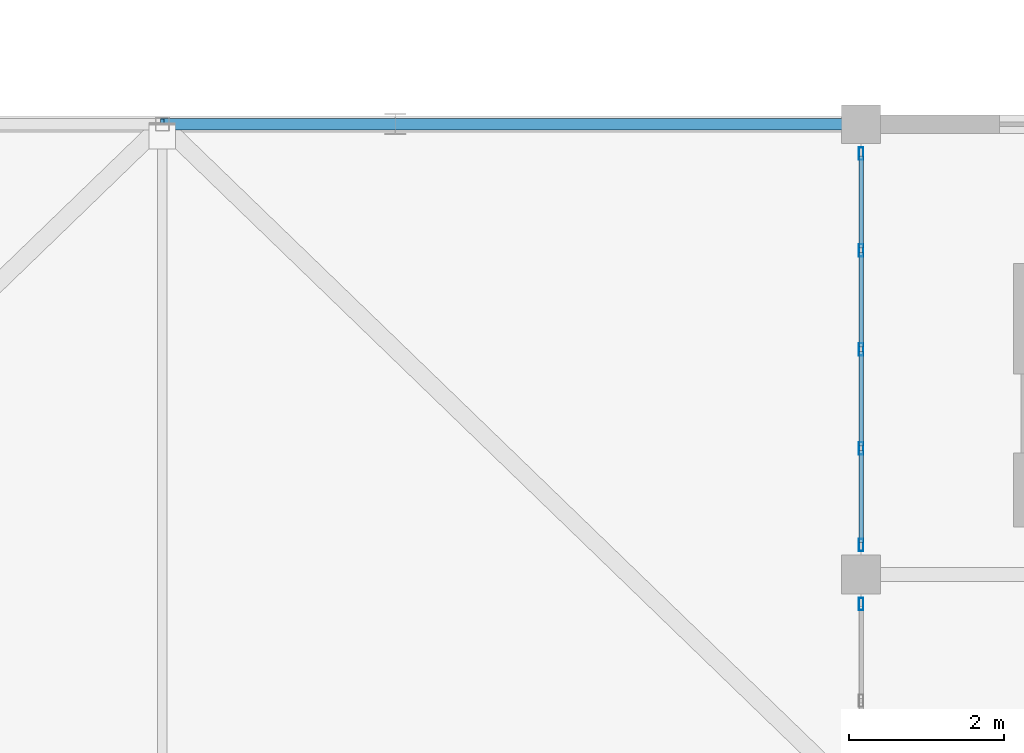
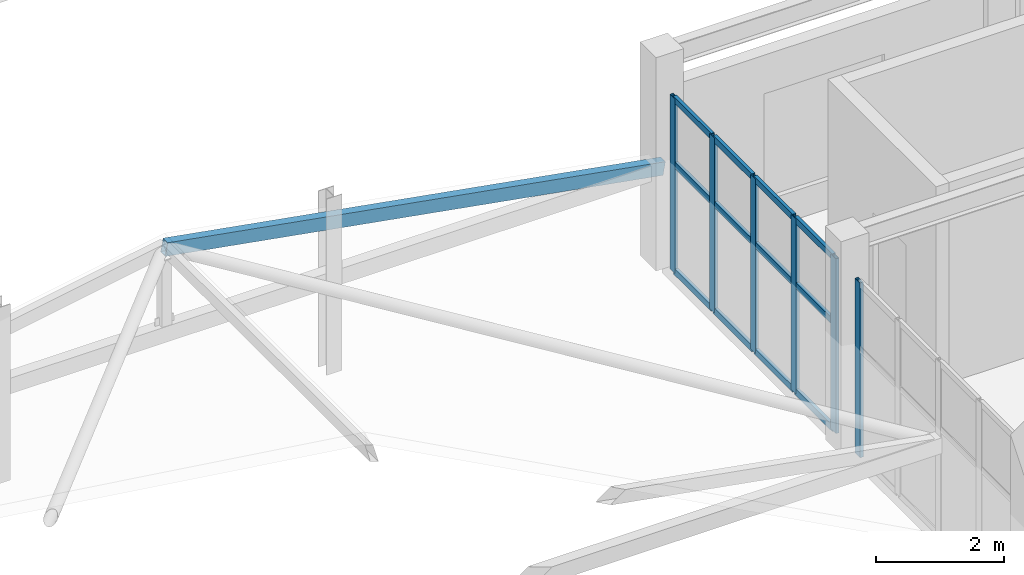
# One storey, part 20 of 128: 19 members, 2 elements without a shape of their own.
"""IFC4 building model written with IfcOpenShell, lengths in metres."""

from ifc_helpers import new_model, si_unit, direction, frame, origin, origin_2d, place, context, subcontext, project, spatial, hollow_rectangle, extrude, material, material_profile, profile_set, type_object, element, aggregate, save


model = new_model("IFC4")

# Units and contexts
model_context = context("Model", 3, precision=1e-05, world=origin(), true_north=direction((0.0, 1.0)))
body_context = subcontext(model_context, "Body", "Model", "MODEL_VIEW")
ifc_project = project(units=[si_unit("LENGTHUNIT", "METRE"), si_unit("AREAUNIT", "SQUARE_METRE"), si_unit("VOLUMEUNIT", "CUBIC_METRE"), si_unit("PLANEANGLEUNIT", "RADIAN"), si_unit("MASSUNIT", "GRAM", prefix="KILO")], contexts=[model_context])

# Site, building, storey
site_placement = place(None, origin())
site = spatial("IfcSite", under=ifc_project, at=site_placement, CompositionType="ELEMENT")
building_placement = place(site_placement, origin())
building = spatial("IfcBuilding", under=site, at=building_placement, Name="Tanwirah Colonnade Gardens", CompositionType="ELEMENT")
storey_placement = place(building_placement, frame((0.0, 0.0, 4.760009765625)))
storey = spatial("IfcBuildingStorey", under=building, at=storey_placement, Name="L01", CompositionType="ELEMENT", Elevation=4.760009765625)

# Curtain wall, member
ifc_material_1 = material(Name="Bronze-anodised aluminium and solar-control low-E glass", Category="aluminium")
curtain_wall_type = type_object("IfcCurtainWallType", Name="CW-SHP", PredefinedType="NOTDEFINED", material=ifc_material_1)
curtain_wall_1_placement = place(storey_placement, origin())
curtain_wall_1 = element("IfcCurtainWall", 1, at=curtain_wall_1_placement, inside=storey, type_object=curtain_wall_type, Name="Curtain Wall CW-SHP-E-L01-W-1", PredefinedType="NOTDEFINED")
ifc_material_2 = material(Name="Bronze-anodised aluminium", Category="aluminium")
ifc_material_profile_1 = material_profile(ifc_material_2, hollow_rectangle(XDim=0.06005859375, YDim=0.159912109375, WallThickness=0.00390625, at=origin_2d()), Name="CW-MUL 60x160x4")
ifc_profile_set_1 = profile_set([ifc_material_profile_1], Name="Bronze-anodised aluminium")
member_type_1 = type_object("IfcMemberType", Name="CWM-60x160", PredefinedType="MULLION", material=ifc_profile_set_1)
member_1_placement = place(storey_placement, frame((102.0, 22.02001953125, 0.0), z_axis=(0.0, 0.0, 1.0), x_axis=(-1.0, 0.0, 0.0)))
member_1 = element("IfcMember", 2, at=member_1_placement, type_object=member_type_1, Name="CW-SHP mullion 5", PredefinedType="MULLION", context=body_context, shape_type="SweptSolid", body=[
    extrude(hollow_rectangle(XDim=0.06005859375, YDim=0.159912109375, WallThickness=0.00390625, at=origin_2d()), origin(), (0.0, 0.0, 1.0), 3.340087890625),
])
aggregate(curtain_wall_1, [member_1])

# Curtain wall, members
curtain_wall_2_placement = place(storey_placement, origin())
curtain_wall_2 = element("IfcCurtainWall", 3, at=curtain_wall_2_placement, inside=storey, type_object=curtain_wall_type, Name="Curtain Wall CW-SHP-E-L01-W-2", PredefinedType="NOTDEFINED")
member_2_placement = place(storey_placement, frame((102.0, 22.780029296875, 0.0), z_axis=(0.0, 0.0, 1.0), x_axis=(-1.0, 0.0, 0.0)))
member_2 = element("IfcMember", 4, at=member_2_placement, type_object=member_type_1, Name="CW-SHP mullion 1", PredefinedType="MULLION", context=body_context, shape_type="SweptSolid", body=[
    extrude(hollow_rectangle(XDim=0.06005859375, YDim=0.159912109375, WallThickness=0.00390625, at=origin_2d()), origin(), (0.0, 0.0, 1.0), 3.340087890625),
])
member_3_placement = place(storey_placement, frame((102.0, 24.02490234375, 0.0), z_axis=(0.0, 0.0, 1.0), x_axis=(-1.0, 0.0, 0.0)))
member_3 = element("IfcMember", 5, at=member_3_placement, type_object=member_type_1, Name="CW-SHP mullion 2", PredefinedType="MULLION", context=body_context, shape_type="SweptSolid", body=[
    extrude(hollow_rectangle(XDim=0.06005859375, YDim=0.159912109375, WallThickness=0.00390625, at=origin_2d()), origin(), (0.0, 0.0, 1.0), 3.340087890625),
])
member_4_placement = place(storey_placement, frame((102.0, 25.300048828125, 0.0), z_axis=(0.0, 0.0, 1.0), x_axis=(-1.0, 0.0, 0.0)))
member_4 = element("IfcMember", 6, at=member_4_placement, type_object=member_type_1, Name="CW-SHP mullion 3", PredefinedType="MULLION", context=body_context, shape_type="SweptSolid", body=[
    extrude(hollow_rectangle(XDim=0.06005859375, YDim=0.159912109375, WallThickness=0.00390625, at=origin_2d()), origin(), (0.0, 0.0, 1.0), 3.340087890625),
])
member_5_placement = place(storey_placement, frame((102.0, 26.574951171875, 0.0), z_axis=(0.0, 0.0, 1.0), x_axis=(-1.0, 0.0, 0.0)))
member_5 = element("IfcMember", 7, at=member_5_placement, type_object=member_type_1, Name="CW-SHP mullion 4", PredefinedType="MULLION", context=body_context, shape_type="SweptSolid", body=[
    extrude(hollow_rectangle(XDim=0.06005859375, YDim=0.159912109375, WallThickness=0.00390625, at=origin_2d()), origin(), (0.0, 0.0, 1.0), 3.340087890625),
])
member_6_placement = place(storey_placement, frame((102.0, 27.820068359375, 0.0), z_axis=(0.0, 0.0, 1.0), x_axis=(-1.0, 0.0, 0.0)))
member_6 = element("IfcMember", 8, at=member_6_placement, type_object=member_type_1, Name="CW-SHP mullion 5", PredefinedType="MULLION", context=body_context, shape_type="SweptSolid", body=[
    extrude(hollow_rectangle(XDim=0.06005859375, YDim=0.159912109375, WallThickness=0.00390625, at=origin_2d()), origin(), (0.0, 0.0, 1.0), 3.340087890625),
])
ifc_material_profile_2 = material_profile(ifc_material_2, hollow_rectangle(XDim=0.06005859375, YDim=0.1201171875, WallThickness=0.00390625, at=origin_2d()), Name="CW-TRN 60x120x4")
ifc_profile_set_2 = profile_set([ifc_material_profile_2], Name="Bronze-anodised aluminium")
member_type_2 = type_object("IfcMemberType", Name="CWT-60x120", PredefinedType="USERDEFINED", material=ifc_profile_set_2)
member_7_placement = place(storey_placement, frame((102.0, 22.81005859375, 0.030029296875), z_axis=(0.0, 1.0, 0.0), x_axis=(-1.0, 0.0, 0.0)))
member_7 = element("IfcMember", 9, at=member_7_placement, type_object=member_type_2, Name="CW-SHP transom 1.1", ObjectType="TRANSOM", PredefinedType="USERDEFINED", context=body_context, shape_type="SweptSolid", body=[
    extrude(hollow_rectangle(XDim=0.06005859375, YDim=0.1201171875, WallThickness=0.00390625, at=origin_2d()), origin(), (0.0, 0.0, 1.0), 1.18505859375),
])
member_8_placement = place(storey_placement, frame((102.0, 22.81005859375, 2.07080078125), z_axis=(0.0, 1.0, 0.0), x_axis=(-1.0, 0.0, 0.0)))
member_8 = element("IfcMember", 10, at=member_8_placement, type_object=member_type_2, Name="CW-SHP transom 1.2", ObjectType="TRANSOM", PredefinedType="USERDEFINED", context=body_context, shape_type="SweptSolid", body=[
    extrude(hollow_rectangle(XDim=0.06005859375, YDim=0.1201171875, WallThickness=0.00390625, at=origin_2d()), origin(), (0.0, 0.0, 1.0), 1.18505859375),
])
member_9_placement = place(storey_placement, frame((102.0, 22.81005859375, 3.31005859375), z_axis=(0.0, 1.0, 0.0), x_axis=(-1.0, 0.0, 0.0)))
member_9 = element("IfcMember", 11, at=member_9_placement, type_object=member_type_2, Name="CW-SHP transom 1.3", ObjectType="TRANSOM", PredefinedType="USERDEFINED", context=body_context, shape_type="SweptSolid", body=[
    extrude(hollow_rectangle(XDim=0.06005859375, YDim=0.1201171875, WallThickness=0.00390625, at=origin_2d()), origin(), (0.0, 0.0, 1.0), 1.18505859375),
])
member_10_placement = place(storey_placement, frame((102.0, 24.054931640625, 0.030029296875), z_axis=(0.0, 1.0, 0.0), x_axis=(-1.0, 0.0, 0.0)))
member_10 = element("IfcMember", 12, at=member_10_placement, type_object=member_type_2, Name="CW-SHP transom 2.1", ObjectType="TRANSOM", PredefinedType="USERDEFINED", context=body_context, shape_type="SweptSolid", body=[
    extrude(hollow_rectangle(XDim=0.06005859375, YDim=0.1201171875, WallThickness=0.00390625, at=origin_2d()), origin(), (0.0, 0.0, 1.0), 1.215087890625),
])
member_11_placement = place(storey_placement, frame((102.0, 24.054931640625, 2.07080078125), z_axis=(0.0, 1.0, 0.0), x_axis=(-1.0, 0.0, 0.0)))
member_11 = element("IfcMember", 13, at=member_11_placement, type_object=member_type_2, Name="CW-SHP transom 2.2", ObjectType="TRANSOM", PredefinedType="USERDEFINED", context=body_context, shape_type="SweptSolid", body=[
    extrude(hollow_rectangle(XDim=0.06005859375, YDim=0.1201171875, WallThickness=0.00390625, at=origin_2d()), origin(), (0.0, 0.0, 1.0), 1.215087890625),
])
member_12_placement = place(storey_placement, frame((102.0, 24.054931640625, 3.31005859375), z_axis=(0.0, 1.0, 0.0), x_axis=(-1.0, 0.0, 0.0)))
member_12 = element("IfcMember", 14, at=member_12_placement, type_object=member_type_2, Name="CW-SHP transom 2.3", ObjectType="TRANSOM", PredefinedType="USERDEFINED", context=body_context, shape_type="SweptSolid", body=[
    extrude(hollow_rectangle(XDim=0.06005859375, YDim=0.1201171875, WallThickness=0.00390625, at=origin_2d()), origin(), (0.0, 0.0, 1.0), 1.215087890625),
])
member_13_placement = place(storey_placement, frame((102.0, 25.330078125, 0.030029296875), z_axis=(0.0, 1.0, 0.0), x_axis=(-1.0, 0.0, 0.0)))
member_13 = element("IfcMember", 15, at=member_13_placement, type_object=member_type_2, Name="CW-SHP transom 3.1", ObjectType="TRANSOM", PredefinedType="USERDEFINED", context=body_context, shape_type="SweptSolid", body=[
    extrude(hollow_rectangle(XDim=0.06005859375, YDim=0.1201171875, WallThickness=0.00390625, at=origin_2d()), origin(), (0.0, 0.0, 1.0), 1.21484375),
])
member_14_placement = place(storey_placement, frame((102.0, 25.330078125, 2.07080078125), z_axis=(0.0, 1.0, 0.0), x_axis=(-1.0, 0.0, 0.0)))
member_14 = element("IfcMember", 16, at=member_14_placement, type_object=member_type_2, Name="CW-SHP transom 3.2", ObjectType="TRANSOM", PredefinedType="USERDEFINED", context=body_context, shape_type="SweptSolid", body=[
    extrude(hollow_rectangle(XDim=0.06005859375, YDim=0.1201171875, WallThickness=0.00390625, at=origin_2d()), origin(), (0.0, 0.0, 1.0), 1.21484375),
])
member_15_placement = place(storey_placement, frame((102.0, 25.330078125, 3.31005859375), z_axis=(0.0, 1.0, 0.0), x_axis=(-1.0, 0.0, 0.0)))
member_15 = element("IfcMember", 17, at=member_15_placement, type_object=member_type_2, Name="CW-SHP transom 3.3", ObjectType="TRANSOM", PredefinedType="USERDEFINED", context=body_context, shape_type="SweptSolid", body=[
    extrude(hollow_rectangle(XDim=0.06005859375, YDim=0.1201171875, WallThickness=0.00390625, at=origin_2d()), origin(), (0.0, 0.0, 1.0), 1.21484375),
])
member_16_placement = place(storey_placement, frame((102.0, 26.60498046875, 0.030029296875), z_axis=(0.0, 1.0, 0.0), x_axis=(-1.0, 0.0, 0.0)))
member_16 = element("IfcMember", 18, at=member_16_placement, type_object=member_type_2, Name="CW-SHP transom 4.1", ObjectType="TRANSOM", PredefinedType="USERDEFINED", context=body_context, shape_type="SweptSolid", body=[
    extrude(hollow_rectangle(XDim=0.06005859375, YDim=0.1201171875, WallThickness=0.00390625, at=origin_2d()), origin(), (0.0, 0.0, 1.0), 1.18505859375),
])
member_17_placement = place(storey_placement, frame((102.0, 26.60498046875, 2.07080078125), z_axis=(0.0, 1.0, 0.0), x_axis=(-1.0, 0.0, 0.0)))
member_17 = element("IfcMember", 19, at=member_17_placement, type_object=member_type_2, Name="CW-SHP transom 4.2", ObjectType="TRANSOM", PredefinedType="USERDEFINED", context=body_context, shape_type="SweptSolid", body=[
    extrude(hollow_rectangle(XDim=0.06005859375, YDim=0.1201171875, WallThickness=0.00390625, at=origin_2d()), origin(), (0.0, 0.0, 1.0), 1.18505859375),
])
member_18_placement = place(storey_placement, frame((102.0, 26.60498046875, 3.31005859375), z_axis=(0.0, 1.0, 0.0), x_axis=(-1.0, 0.0, 0.0)))
member_18 = element("IfcMember", 20, at=member_18_placement, type_object=member_type_2, Name="CW-SHP transom 4.3", ObjectType="TRANSOM", PredefinedType="USERDEFINED", context=body_context, shape_type="SweptSolid", body=[
    extrude(hollow_rectangle(XDim=0.06005859375, YDim=0.1201171875, WallThickness=0.00390625, at=origin_2d()), origin(), (0.0, 0.0, 1.0), 1.18505859375),
])
aggregate(curtain_wall_2, [member_2, member_3, member_4, member_5, member_6, member_7, member_8, member_9, member_10, member_11, member_12, member_13, member_14, member_15, member_16, member_17, member_18])

# Member
ifc_material_3 = material(Name="Steel S355", Category="steel")
ifc_material_profile_3 = material_profile(ifc_material_3, hollow_rectangle(XDim=0.14990234375, YDim=0.25, WallThickness=0.010009765625, at=origin_2d()), Name="RHS 250x150x10")
ifc_profile_set_3 = profile_set([ifc_material_profile_3], Name="Steel S355")
member_type_3 = type_object("IfcMemberType", Name="RFT-RHS250", PredefinedType="RAFTER", material=ifc_profile_set_3)
member_19_placement = place(storey_placement, frame((93.0, 28.199951171875, 3.369873046875), z_axis=(0.984565269242, 0.0, -0.175017800818), x_axis=(0.0, 1.0, 0.0)))
element("IfcMember", 21, at=member_19_placement, inside=storey, type_object=member_type_3, Name="Canopy East Rafter 2", PredefinedType="RAFTER", context=body_context, shape_type="SweptSolid", body=[
    extrude(hollow_rectangle(XDim=0.14990234375, YDim=0.25, WallThickness=0.010009765625, at=origin_2d()), origin(), (0.0, 0.0, 1.0), 9.14111328125),
])

save(model, "model.ifc")
